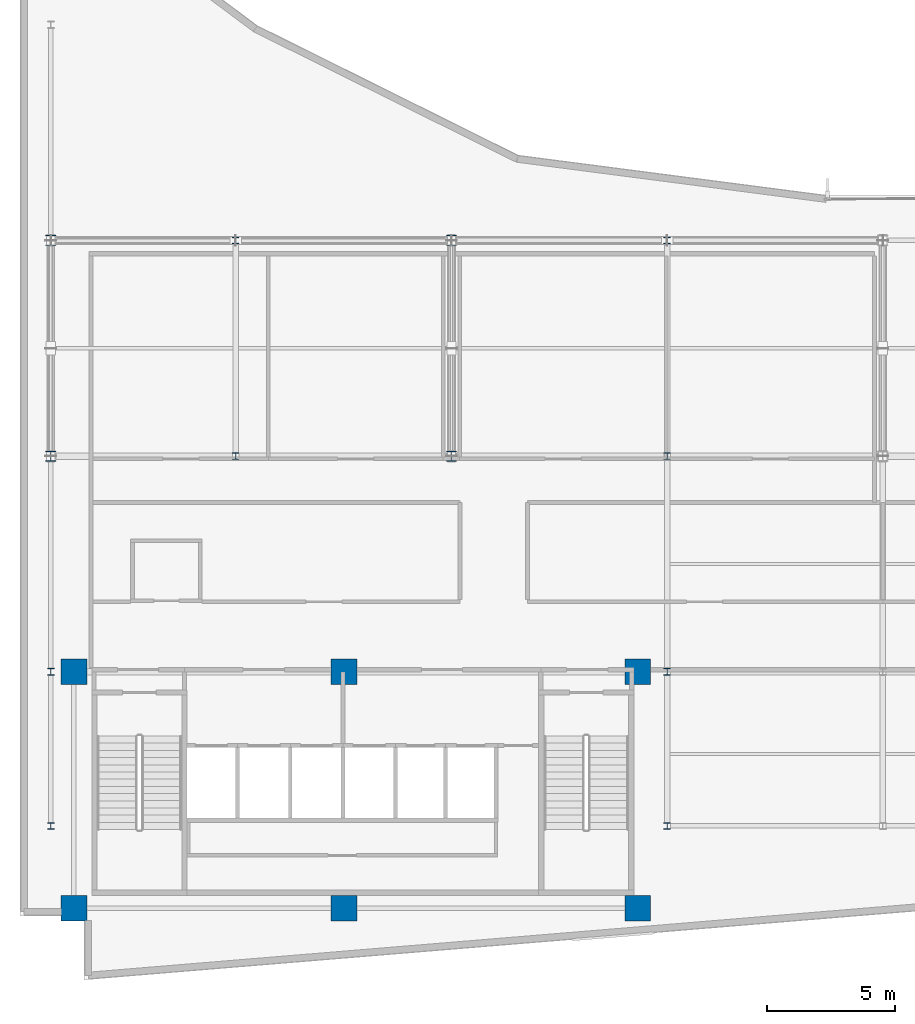
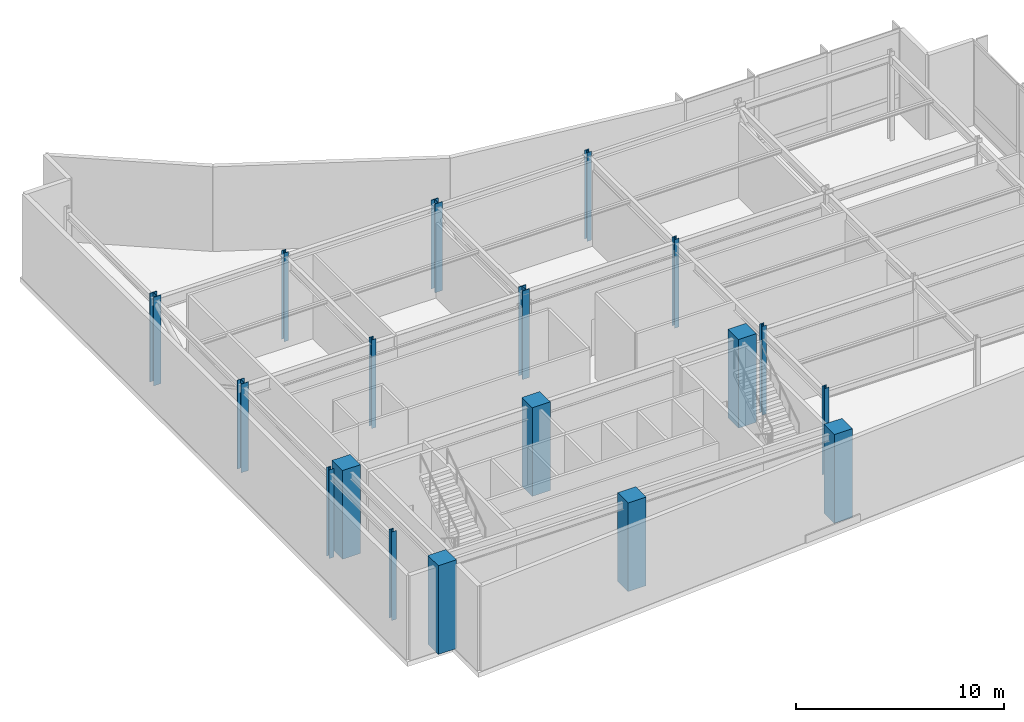
# One storey, part 1 of 15: 18 columns.
"""IFC4 building model written with IfcOpenShell, lengths in metres."""

from ifc_helpers import new_model, si_unit, direction, frame, origin, origin_2d, place, context, subcontext, project, spatial, rectangle, i_section, extrude, material, material_profile, profile_set, type_object, element, save


model = new_model("IFC4")

# Units and contexts
model_context = context("Model", 3, precision=1e-05, world=origin(), true_north=direction((0.0, 1.0)))
body_context = subcontext(model_context, "Body", "Model", "MODEL_VIEW")
ifc_project = project(units=[si_unit("LENGTHUNIT", "METRE"), si_unit("AREAUNIT", "SQUARE_METRE"), si_unit("VOLUMEUNIT", "CUBIC_METRE"), si_unit("PLANEANGLEUNIT", "RADIAN"), si_unit("MASSUNIT", "GRAM", prefix="KILO")], contexts=[model_context])

# Site, building, storey
site_placement = place(None, origin())
site = spatial("IfcSite", under=ifc_project, at=site_placement, CompositionType="ELEMENT")
building_placement = place(site_placement, origin())
building = spatial("IfcBuilding", under=site, at=building_placement, Name="Varnakote Quay Hospital", CompositionType="ELEMENT")
storey_placement = place(building_placement, frame((0.0, 0.0, 235.550048828125)))
storey = spatial("IfcBuildingStorey", under=building, at=storey_placement, Name="L58", CompositionType="ELEMENT", Elevation=235.550048828125)

# Columns
ifc_material_1 = material(Name="Concrete N65 (f'c 65 MPa)", Category="concrete")
ifc_material_profile_1 = material_profile(ifc_material_1, rectangle(XDim=1.0, YDim=1.0, at=origin_2d()), Name="RC-COL-1000x1000")
ifc_profile_set_1 = profile_set([ifc_material_profile_1], Name="Concrete N65 (f'c 65 MPa)")
column_type_1 = type_object("IfcColumnType", Name="COL-RC-1000", PredefinedType="COLUMN", material=ifc_profile_set_1)
for number, where, z_axis, x_axis, name in (
    (1, (2.10009765625, 2.800048828125, 0.0), (0.0, 0.0, 1.0), (1.0, 0.0, 0.0), "L58 Structural Column C-2-3"),
    (2, (12.6201171875, 2.800048828125, 0.0), (0.0, 0.0, 1.0), (1.0, 0.0, 0.0), "L58 Structural Column C-13-3"),
    (3, (24.050048828125, 2.800048828125, 0.0), (0.0, 0.0, 1.0), (1.0, 0.0, 0.0), "L58 Structural Column C-24-3"),
    (4, (2.10009765625, 12.0, 0.0), (0.0, 0.0, 1.0), (1.0, 0.0, 0.0), "L58 Structural Column C-2-12"),
    (5, (12.6201171875, 12.0, 0.0), (0.0, 0.0, 1.0), (1.0, 0.0, 0.0), "L58 Structural Column C-13-12"),
    (6, (24.050048828125, 12.0, 0.0), (0.0, 0.0, 1.0), (1.0, 0.0, 0.0), "L58 Structural Column C-24-12"),
):
    element("IfcColumn", number, at=place(storey_placement, frame(where, z_axis=z_axis, x_axis=x_axis)), inside=storey, type_object=column_type_1, Name=name, PredefinedType="COLUMN", context=body_context, shape_type="SweptSolid", body=[
        extrude(rectangle(XDim=1.0, YDim=1.0, at=origin_2d()), origin(), (0.0, 0.0, 1.0), 5.199951171875),
    ])
ifc_material_2 = material(Name="Structural steel AS/NZS 3679.1 Grade 350 L0 (fy 340 MPa)", Category="steel")
ifc_material_profile_2 = material_profile(ifc_material_2, i_section(OverallWidth=0.256103515625, OverallDepth=0.260009765625, WebThickness=0.010498046875, FlangeThickness=0.017333984375, FilletRadius=0.0126953125, at=origin_2d()), Name="250UC89.5")
ifc_profile_set_2 = profile_set([ifc_material_profile_2], Name="Structural steel AS/NZS 3679.1 Grade 350 L0 (fy 340 MPa)")
column_type_2 = type_object("IfcColumnType", Name="COL-STL-250UC89-5", PredefinedType="COLUMN", material=ifc_profile_set_2)
for number, where, z_axis, x_axis, name in (
    (7, (1.199951171875, 6.0, 0.0), (0.0, 0.0, 1.0), (1.0, 0.0, 0.0), "L58 Structural Column C-1-6"),
    (8, (25.199951171875, 6.0, 0.0), (0.0, 0.0, 1.0), (1.0, 0.0, 0.0), "L58 Structural Column C-25-6"),
    (9, (1.199951171875, 12.0, 0.0), (0.0, 0.0, 1.0), (1.0, 0.0, 0.0), "L58 Structural Column C-1-12"),
    (10, (25.199951171875, 12.0, 0.0), (0.0, 0.0, 1.0), (1.0, 0.0, 0.0), "L58 Structural Column C-25-12"),
    (11, (8.39990234375, 20.39990234375, 0.0), (0.0, 0.0, 1.0), (1.0, 0.0, 0.0), "L58 Structural Column C-8-20"),
    (12, (25.199951171875, 20.39990234375, 0.0), (0.0, 0.0, 1.0), (1.0, 0.0, 0.0), "L58 Structural Column C-25-20"),
    (13, (8.39990234375, 28.800048828125, 0.0), (0.0, 0.0, 1.0), (1.0, 0.0, 0.0), "L58 Structural Column C-8-29"),
    (14, (25.199951171875, 28.800048828125, 0.0), (0.0, 0.0, 1.0), (1.0, 0.0, 0.0), "L58 Structural Column C-25-29"),
):
    element("IfcColumn", number, at=place(storey_placement, frame(where, z_axis=z_axis, x_axis=x_axis)), inside=storey, type_object=column_type_2, Name=name, PredefinedType="COLUMN", context=body_context, shape_type="SweptSolid", body=[
        extrude(i_section(OverallWidth=0.256103515625, OverallDepth=0.260009765625, WebThickness=0.010498046875, FlangeThickness=0.017333984375, FilletRadius=0.0126953125, at=origin_2d()), origin(), (0.0, 0.0, 1.0), 5.199951171875),
    ])
ifc_material_3 = material(Name="Structural steel AS/NZS 3678 Grade 350 (fy 340 MPa)", Category="steel")
ifc_material_profile_3 = material_profile(ifc_material_3, i_section(OverallWidth=0.39990234375, OverallDepth=0.404052734375, WebThickness=0.02001953125, FlangeThickness=0.031982421875, at=origin_2d()), Name="400WC270")
ifc_profile_set_3 = profile_set([ifc_material_profile_3], Name="Structural steel AS/NZS 3678 Grade 350 (fy 340 MPa)")
column_type_3 = type_object("IfcColumnType", Name="COL-STL-400WC270", PredefinedType="COLUMN", material=ifc_profile_set_3)
for number, where, z_axis, x_axis, name in (
    (15, (1.199951171875, 20.39990234375, 0.0), (0.0, 0.0, 1.0), (1.0, 0.0, 0.0), "L58 Structural Column C-1-20"),
    (16, (16.800048828125, 20.39990234375, 0.0), (0.0, 0.0, 1.0), (1.0, 0.0, 0.0), "L58 Structural Column C-17-20"),
    (17, (1.199951171875, 28.800048828125, 0.0), (0.0, 0.0, 1.0), (1.0, 0.0, 0.0), "L58 Structural Column C-1-29"),
    (18, (16.800048828125, 28.800048828125, 0.0), (0.0, 0.0, 1.0), (1.0, 0.0, 0.0), "L58 Structural Column C-17-29"),
):
    element("IfcColumn", number, at=place(storey_placement, frame(where, z_axis=z_axis, x_axis=x_axis)), inside=storey, type_object=column_type_3, Name=name, PredefinedType="COLUMN", context=body_context, shape_type="SweptSolid", body=[
        extrude(i_section(OverallWidth=0.39990234375, OverallDepth=0.404052734375, WebThickness=0.02001953125, FlangeThickness=0.031982421875, at=origin_2d()), origin(), (0.0, 0.0, 1.0), 5.199951171875),
    ])

save(model, "model.ifc")
